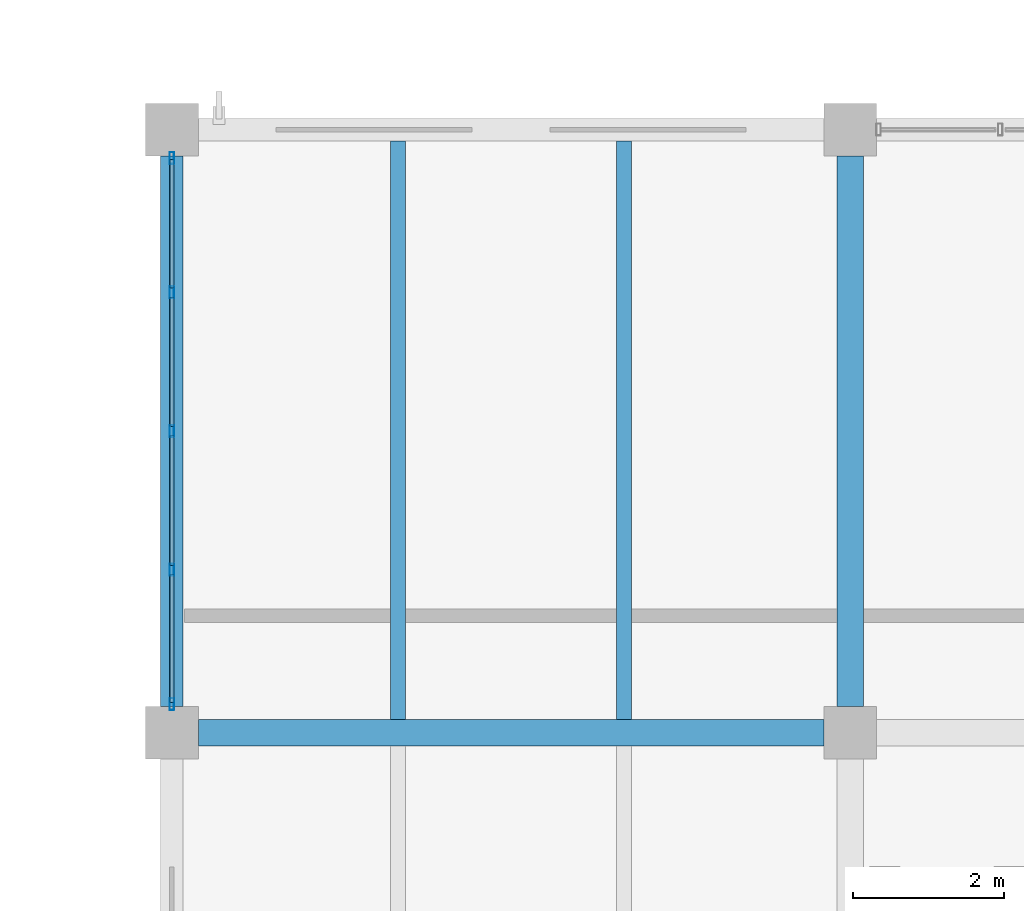
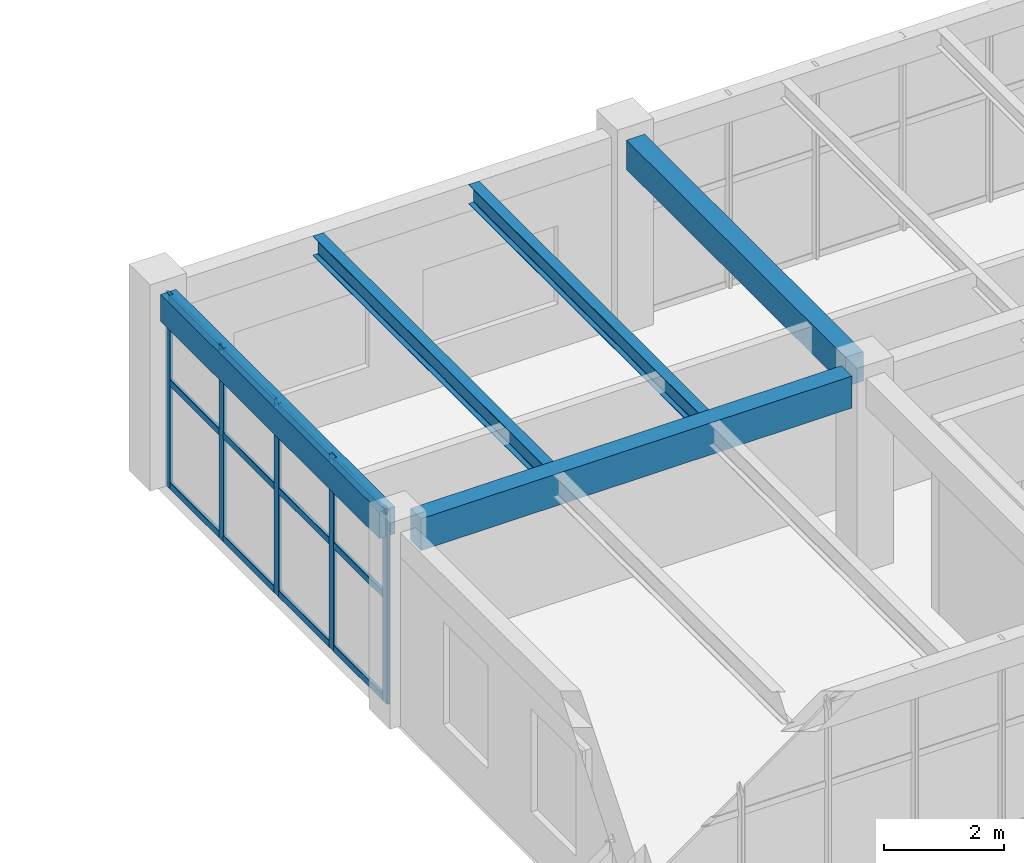
# One storey, part 33 of 128: 17 members, 5 beams, 1 element without a shape of its own.
"""IFC4 building model written with IfcOpenShell, lengths in metres."""

from ifc_helpers import new_model, si_unit, derived_unit, direction, frame, origin, origin_2d, place, context, subcontext, project, spatial, rectangle, hollow_rectangle, i_section, extrude, material, material_profile, profile_set, type_object, element, aggregate, save


model = new_model("IFC4")

# Units and contexts
model_context = context("Model", 3, precision=1e-05, world=origin(), true_north=direction((0.0, 1.0)))
body_context = subcontext(model_context, "Body", "Model", "MODEL_VIEW")
ifc_project = project(units=[si_unit("LENGTHUNIT", "METRE"), si_unit("AREAUNIT", "SQUARE_METRE"), si_unit("VOLUMEUNIT", "CUBIC_METRE"), si_unit("PLANEANGLEUNIT", "RADIAN"), si_unit("MASSUNIT", "GRAM", prefix="KILO"), derived_unit("THERMALTRANSMITTANCEUNIT", [(si_unit("MASSUNIT", "GRAM", prefix="KILO"), 1), (si_unit("TIMEUNIT", "SECOND"), -3), (si_unit("THERMODYNAMICTEMPERATUREUNIT", "KELVIN"), -1)])], contexts=[model_context])

# Site, building, storey
site_placement = place(None, origin())
site = spatial("IfcSite", under=ifc_project, at=site_placement, CompositionType="ELEMENT")
building_placement = place(site_placement, origin())
building = spatial("IfcBuilding", under=site, at=building_placement, Name="Zhenchuan Archway Interchange", CompositionType="ELEMENT")
storey_placement = place(building_placement, frame((0.0, 0.0, 14.39990234375)))
storey = spatial("IfcBuildingStorey", under=building, at=storey_placement, Name="L03", CompositionType="ELEMENT", Elevation=14.39990234375)

# Beams
ifc_material_1 = material(Name="Concrete C40", Category="concrete")
ifc_material_profile_1 = material_profile(ifc_material_1, rectangle(XDim=0.35009765625, YDim=0.60009765625, at=origin_2d()), Name="RC 350x600")
ifc_profile_set_1 = profile_set([ifc_material_profile_1], Name="Concrete C40")
beam_type_1 = type_object("IfcBeamType", Name="BM_RC_350x600", PredefinedType="BEAM", material=ifc_profile_set_1)
beam_1_placement = place(storey_placement, frame((117.0, 16.35009765625, 3.64013671875), z_axis=(0.0, 1.0, 0.0), x_axis=(-1.0, 0.0, 0.0)))
element("IfcBeam", 1, at=beam_1_placement, inside=storey, type_object=beam_type_1, Name="Beam 14:C-D (L03)", PredefinedType="BEAM", context=body_context, shape_type="SweptSolid", body=[
    extrude(rectangle(XDim=0.35009765625, YDim=0.60009765625, at=origin_2d()), origin(), (0.0, 0.0, 1.0), 7.2998046875),
])
ifc_material_profile_2 = material_profile(ifc_material_1, rectangle(XDim=0.35009765625, YDim=0.64990234375, at=origin_2d()), Name="RC 350x650")
ifc_profile_set_2 = profile_set([ifc_material_profile_2], Name="Concrete C40")
beam_type_2 = type_object("IfcBeamType", Name="BM_RC_350x650", PredefinedType="BEAM", material=ifc_profile_set_2)
beam_2_placement = place(storey_placement, frame((108.35009765625, 16.0, 3.614990234375), z_axis=(1.0, 0.0, 0.0), x_axis=(0.0, 1.0, 0.0)))
element("IfcBeam", 2, at=beam_2_placement, inside=storey, type_object=beam_type_2, Name="Beam C:13-14 (L03)", PredefinedType="BEAM", context=body_context, shape_type="SweptSolid", body=[
    extrude(rectangle(XDim=0.35009765625, YDim=0.64990234375, at=origin_2d()), origin(), (0.0, 0.0, 1.0), 8.2998046875),
])

# Curtain wall, members
ifc_material_2 = material(Name="Anodised Aluminium", Category="aluminium")
curtain_wall_type = type_object("IfcCurtainWallType", Name="CW_UNIT_4", PredefinedType="NOTDEFINED", material=ifc_material_2)
curtain_wall_placement = place(storey_placement, origin())
curtain_wall = element("IfcCurtainWall", 3, at=curtain_wall_placement, inside=storey, type_object=curtain_wall_type, Name="Unitised curtain wall CW:L03:187", PredefinedType="NOTDEFINED")
ifc_material_profile_3 = material_profile(ifc_material_2, hollow_rectangle(XDim=0.06005859375, YDim=0.159912109375, WallThickness=0.00390625, InnerFilletRadius=0.00390625, OuterFilletRadius=0.008056640625, at=origin_2d()), Name="ALU 160x60x4")
ifc_profile_set_3 = profile_set([ifc_material_profile_3], Name="Anodised Aluminium")
member_type_1 = type_object("IfcMemberType", Name="CW_MUL_150", PredefinedType="MULLION", material=ifc_profile_set_3)
member_1_placement = place(storey_placement, frame((108.0, 16.3779296875, 0.0), z_axis=(0.0, 0.0, 1.0), x_axis=(1.0, 0.0, 0.0)))
member_1 = element("IfcMember", 4, at=member_1_placement, type_object=member_type_1, Name="CW:L03:187 mullion 0", PredefinedType="MULLION", context=body_context, shape_type="SweptSolid", body=[
    extrude(hollow_rectangle(XDim=0.06005859375, YDim=0.159912109375, WallThickness=0.00390625, InnerFilletRadius=0.00390625, OuterFilletRadius=0.008056640625, at=origin_2d()), origin(), (0.0, 0.0, 1.0), 3.940185546875),
])
member_2_placement = place(storey_placement, frame((108.0, 18.158935546875, 0.0), z_axis=(0.0, 0.0, 1.0), x_axis=(1.0, 0.0, 0.0)))
member_2 = element("IfcMember", 5, at=member_2_placement, type_object=member_type_1, Name="CW:L03:187 mullion 1", PredefinedType="MULLION", context=body_context, shape_type="SweptSolid", body=[
    extrude(hollow_rectangle(XDim=0.06005859375, YDim=0.159912109375, WallThickness=0.00390625, InnerFilletRadius=0.00390625, OuterFilletRadius=0.008056640625, at=origin_2d()), origin(), (0.0, 0.0, 1.0), 3.940185546875),
])
member_3_placement = place(storey_placement, frame((108.0, 20.0, 0.0), z_axis=(0.0, 0.0, 1.0), x_axis=(1.0, 0.0, 0.0)))
member_3 = element("IfcMember", 6, at=member_3_placement, type_object=member_type_1, Name="CW:L03:187 mullion 2", PredefinedType="MULLION", context=body_context, shape_type="SweptSolid", body=[
    extrude(hollow_rectangle(XDim=0.06005859375, YDim=0.159912109375, WallThickness=0.00390625, InnerFilletRadius=0.00390625, OuterFilletRadius=0.008056640625, at=origin_2d()), origin(), (0.0, 0.0, 1.0), 3.940185546875),
])
member_4_placement = place(storey_placement, frame((108.0, 21.841064453125, 0.0), z_axis=(0.0, 0.0, 1.0), x_axis=(1.0, 0.0, 0.0)))
member_4 = element("IfcMember", 7, at=member_4_placement, type_object=member_type_1, Name="CW:L03:187 mullion 3", PredefinedType="MULLION", context=body_context, shape_type="SweptSolid", body=[
    extrude(hollow_rectangle(XDim=0.06005859375, YDim=0.159912109375, WallThickness=0.00390625, InnerFilletRadius=0.00390625, OuterFilletRadius=0.008056640625, at=origin_2d()), origin(), (0.0, 0.0, 1.0), 3.940185546875),
])
member_5_placement = place(storey_placement, frame((108.0, 23.6220703125, 0.0), z_axis=(0.0, 0.0, 1.0), x_axis=(1.0, 0.0, 0.0)))
member_5 = element("IfcMember", 8, at=member_5_placement, type_object=member_type_1, Name="CW:L03:187 mullion 4", PredefinedType="MULLION", context=body_context, shape_type="SweptSolid", body=[
    extrude(hollow_rectangle(XDim=0.06005859375, YDim=0.159912109375, WallThickness=0.00390625, InnerFilletRadius=0.00390625, OuterFilletRadius=0.008056640625, at=origin_2d()), origin(), (0.0, 0.0, 1.0), 3.940185546875),
])
ifc_material_profile_4 = material_profile(ifc_material_2, hollow_rectangle(XDim=0.06005859375, YDim=0.139892578125, WallThickness=0.00341796875, InnerFilletRadius=0.00341796875, OuterFilletRadius=0.007080078125, at=origin_2d()), Name="ALU 140x60x3.5")
ifc_profile_set_4 = profile_set([ifc_material_profile_4], Name="Anodised Aluminium")
member_type_2 = type_object("IfcMemberType", Name="CW_TRN_140", PredefinedType="USERDEFINED", material=ifc_profile_set_4)
member_6_placement = place(storey_placement, frame((108.0, 16.39794921875, 0.06005859375), z_axis=(0.0, 1.0, 0.0), x_axis=(-1.0, 0.0, 0.0)))
member_6 = element("IfcMember", 9, at=member_6_placement, type_object=member_type_2, Name="CW:L03:187 transom 0-1", ObjectType="TRANSOM", PredefinedType="USERDEFINED", context=body_context, shape_type="SweptSolid", body=[
    extrude(hollow_rectangle(XDim=0.06005859375, YDim=0.139892578125, WallThickness=0.00341796875, InnerFilletRadius=0.00341796875, OuterFilletRadius=0.007080078125, at=origin_2d()), origin(), (0.0, 0.0, 1.0), 1.701171875),
])
member_7_placement = place(storey_placement, frame((108.0, 16.39794921875, 2.156005859375), z_axis=(0.0, 1.0, 0.0), x_axis=(-1.0, 0.0, 0.0)))
member_7 = element("IfcMember", 10, at=member_7_placement, type_object=member_type_2, Name="CW:L03:187 transom 0-2", ObjectType="TRANSOM", PredefinedType="USERDEFINED", context=body_context, shape_type="SweptSolid", body=[
    extrude(hollow_rectangle(XDim=0.06005859375, YDim=0.139892578125, WallThickness=0.00341796875, InnerFilletRadius=0.00341796875, OuterFilletRadius=0.007080078125, at=origin_2d()), origin(), (0.0, 0.0, 1.0), 1.701171875),
])
member_8_placement = place(storey_placement, frame((108.0, 16.39794921875, 3.860107421875), z_axis=(0.0, 1.0, 0.0), x_axis=(-1.0, 0.0, 0.0)))
member_8 = element("IfcMember", 11, at=member_8_placement, type_object=member_type_2, Name="CW:L03:187 transom 0-3", ObjectType="TRANSOM", PredefinedType="USERDEFINED", context=body_context, shape_type="SweptSolid", body=[
    extrude(hollow_rectangle(XDim=0.06005859375, YDim=0.139892578125, WallThickness=0.00341796875, InnerFilletRadius=0.00341796875, OuterFilletRadius=0.007080078125, at=origin_2d()), origin(), (0.0, 0.0, 1.0), 1.701171875),
])
member_9_placement = place(storey_placement, frame((108.0, 18.218994140625, 0.06005859375), z_axis=(0.0, 1.0, 0.0), x_axis=(-1.0, 0.0, 0.0)))
member_9 = element("IfcMember", 12, at=member_9_placement, type_object=member_type_2, Name="CW:L03:187 transom 1-1", ObjectType="TRANSOM", PredefinedType="USERDEFINED", context=body_context, shape_type="SweptSolid", body=[
    extrude(hollow_rectangle(XDim=0.06005859375, YDim=0.139892578125, WallThickness=0.00341796875, InnerFilletRadius=0.00341796875, OuterFilletRadius=0.007080078125, at=origin_2d()), origin(), (0.0, 0.0, 1.0), 1.720947265625),
])
member_10_placement = place(storey_placement, frame((108.0, 18.218994140625, 2.156005859375), z_axis=(0.0, 1.0, 0.0), x_axis=(-1.0, 0.0, 0.0)))
member_10 = element("IfcMember", 13, at=member_10_placement, type_object=member_type_2, Name="CW:L03:187 transom 1-2", ObjectType="TRANSOM", PredefinedType="USERDEFINED", context=body_context, shape_type="SweptSolid", body=[
    extrude(hollow_rectangle(XDim=0.06005859375, YDim=0.139892578125, WallThickness=0.00341796875, InnerFilletRadius=0.00341796875, OuterFilletRadius=0.007080078125, at=origin_2d()), origin(), (0.0, 0.0, 1.0), 1.720947265625),
])
member_11_placement = place(storey_placement, frame((108.0, 18.218994140625, 3.860107421875), z_axis=(0.0, 1.0, 0.0), x_axis=(-1.0, 0.0, 0.0)))
member_11 = element("IfcMember", 14, at=member_11_placement, type_object=member_type_2, Name="CW:L03:187 transom 1-3", ObjectType="TRANSOM", PredefinedType="USERDEFINED", context=body_context, shape_type="SweptSolid", body=[
    extrude(hollow_rectangle(XDim=0.06005859375, YDim=0.139892578125, WallThickness=0.00341796875, InnerFilletRadius=0.00341796875, OuterFilletRadius=0.007080078125, at=origin_2d()), origin(), (0.0, 0.0, 1.0), 1.720947265625),
])
member_12_placement = place(storey_placement, frame((108.0, 20.06005859375, 0.06005859375), z_axis=(0.0, 1.0, 0.0), x_axis=(-1.0, 0.0, 0.0)))
member_12 = element("IfcMember", 15, at=member_12_placement, type_object=member_type_2, Name="CW:L03:187 transom 2-1", ObjectType="TRANSOM", PredefinedType="USERDEFINED", context=body_context, shape_type="SweptSolid", body=[
    extrude(hollow_rectangle(XDim=0.06005859375, YDim=0.139892578125, WallThickness=0.00341796875, InnerFilletRadius=0.00341796875, OuterFilletRadius=0.007080078125, at=origin_2d()), origin(), (0.0, 0.0, 1.0), 1.720947265625),
])
member_13_placement = place(storey_placement, frame((108.0, 20.06005859375, 2.156005859375), z_axis=(0.0, 1.0, 0.0), x_axis=(-1.0, 0.0, 0.0)))
member_13 = element("IfcMember", 16, at=member_13_placement, type_object=member_type_2, Name="CW:L03:187 transom 2-2", ObjectType="TRANSOM", PredefinedType="USERDEFINED", context=body_context, shape_type="SweptSolid", body=[
    extrude(hollow_rectangle(XDim=0.06005859375, YDim=0.139892578125, WallThickness=0.00341796875, InnerFilletRadius=0.00341796875, OuterFilletRadius=0.007080078125, at=origin_2d()), origin(), (0.0, 0.0, 1.0), 1.720947265625),
])
member_14_placement = place(storey_placement, frame((108.0, 20.06005859375, 3.860107421875), z_axis=(0.0, 1.0, 0.0), x_axis=(-1.0, 0.0, 0.0)))
member_14 = element("IfcMember", 17, at=member_14_placement, type_object=member_type_2, Name="CW:L03:187 transom 2-3", ObjectType="TRANSOM", PredefinedType="USERDEFINED", context=body_context, shape_type="SweptSolid", body=[
    extrude(hollow_rectangle(XDim=0.06005859375, YDim=0.139892578125, WallThickness=0.00341796875, InnerFilletRadius=0.00341796875, OuterFilletRadius=0.007080078125, at=origin_2d()), origin(), (0.0, 0.0, 1.0), 1.720947265625),
])
member_15_placement = place(storey_placement, frame((108.0, 21.90087890625, 0.06005859375), z_axis=(0.0, 1.0, 0.0), x_axis=(-1.0, 0.0, 0.0)))
member_15 = element("IfcMember", 18, at=member_15_placement, type_object=member_type_2, Name="CW:L03:187 transom 3-1", ObjectType="TRANSOM", PredefinedType="USERDEFINED", context=body_context, shape_type="SweptSolid", body=[
    extrude(hollow_rectangle(XDim=0.06005859375, YDim=0.139892578125, WallThickness=0.00341796875, InnerFilletRadius=0.00341796875, OuterFilletRadius=0.007080078125, at=origin_2d()), origin(), (0.0, 0.0, 1.0), 1.701171875),
])
member_16_placement = place(storey_placement, frame((108.0, 21.90087890625, 2.156005859375), z_axis=(0.0, 1.0, 0.0), x_axis=(-1.0, 0.0, 0.0)))
member_16 = element("IfcMember", 19, at=member_16_placement, type_object=member_type_2, Name="CW:L03:187 transom 3-2", ObjectType="TRANSOM", PredefinedType="USERDEFINED", context=body_context, shape_type="SweptSolid", body=[
    extrude(hollow_rectangle(XDim=0.06005859375, YDim=0.139892578125, WallThickness=0.00341796875, InnerFilletRadius=0.00341796875, OuterFilletRadius=0.007080078125, at=origin_2d()), origin(), (0.0, 0.0, 1.0), 1.701171875),
])
member_17_placement = place(storey_placement, frame((108.0, 21.90087890625, 3.860107421875), z_axis=(0.0, 1.0, 0.0), x_axis=(-1.0, 0.0, 0.0)))
member_17 = element("IfcMember", 20, at=member_17_placement, type_object=member_type_2, Name="CW:L03:187 transom 3-3", ObjectType="TRANSOM", PredefinedType="USERDEFINED", context=body_context, shape_type="SweptSolid", body=[
    extrude(hollow_rectangle(XDim=0.06005859375, YDim=0.139892578125, WallThickness=0.00341796875, InnerFilletRadius=0.00341796875, OuterFilletRadius=0.007080078125, at=origin_2d()), origin(), (0.0, 0.0, 1.0), 1.701171875),
])
aggregate(curtain_wall, [member_1, member_2, member_3, member_4, member_5, member_6, member_7, member_8, member_9, member_10, member_11, member_12, member_13, member_14, member_15, member_16, member_17])

# Beams
ifc_material_3 = material(Name="Steel Q355", Category="steel")
ifc_material_profile_5 = material_profile(ifc_material_3, i_section(OverallWidth=0.199951171875, OverallDepth=0.39990234375, WebThickness=0.008056640625, FlangeThickness=0.012939453125, FilletRadius=0.01611328125, at=origin_2d()), Name="HN 400x200")
ifc_profile_set_5 = profile_set([ifc_material_profile_5], Name="Steel Q355")
beam_type_3 = type_object("IfcBeamType", Name="JST_STL_HN400", PredefinedType="JOIST", material=ifc_profile_set_5)
for number, where, z_axis, x_axis, name in (
    (21, (111.0, 16.175048828125, 3.739990234375), (0.0, 1.0, 0.0), (-1.0, 0.0, 0.0), "Secondary joist 13-14/C-D #1 (L03)"),
    (22, (114.0, 16.175048828125, 3.739990234375), (0.0, 1.0, 0.0), (-1.0, 0.0, 0.0), "Secondary joist 13-14/C-D #2 (L03)"),
):
    element("IfcBeam", number, at=place(storey_placement, frame(where, z_axis=z_axis, x_axis=x_axis)), inside=storey, type_object=beam_type_3, Name=name, PredefinedType="JOIST", context=body_context, shape_type="SweptSolid", body=[
        extrude(i_section(OverallWidth=0.199951171875, OverallDepth=0.39990234375, WebThickness=0.008056640625, FlangeThickness=0.012939453125, FilletRadius=0.01611328125, at=origin_2d()), origin(), (0.0, 0.0, 1.0), 7.675048828125),
    ])
ifc_material_profile_6 = material_profile(ifc_material_1, rectangle(XDim=0.300048828125, YDim=0.550048828125, at=origin_2d()), Name="RC 300x550")
ifc_profile_set_6 = profile_set([ifc_material_profile_6], Name="Concrete C40")
beam_type_4 = type_object("IfcBeamType", Name="SP_RC_300x550", PredefinedType="SPANDREL", material=ifc_profile_set_6)
beam_3_placement = place(storey_placement, frame((108.0, 16.35009765625, 3.6650390625), z_axis=(0.0, 1.0, 0.0), x_axis=(-1.0, 0.0, 0.0)))
element("IfcBeam", 23, at=beam_3_placement, inside=storey, type_object=beam_type_4, Name="Beam 13:C-D (L03)", PredefinedType="SPANDREL", context=body_context, shape_type="SweptSolid", body=[
    extrude(rectangle(XDim=0.300048828125, YDim=0.550048828125, at=origin_2d()), origin(), (0.0, 0.0, 1.0), 7.2998046875),
])

save(model, "model.ifc")
